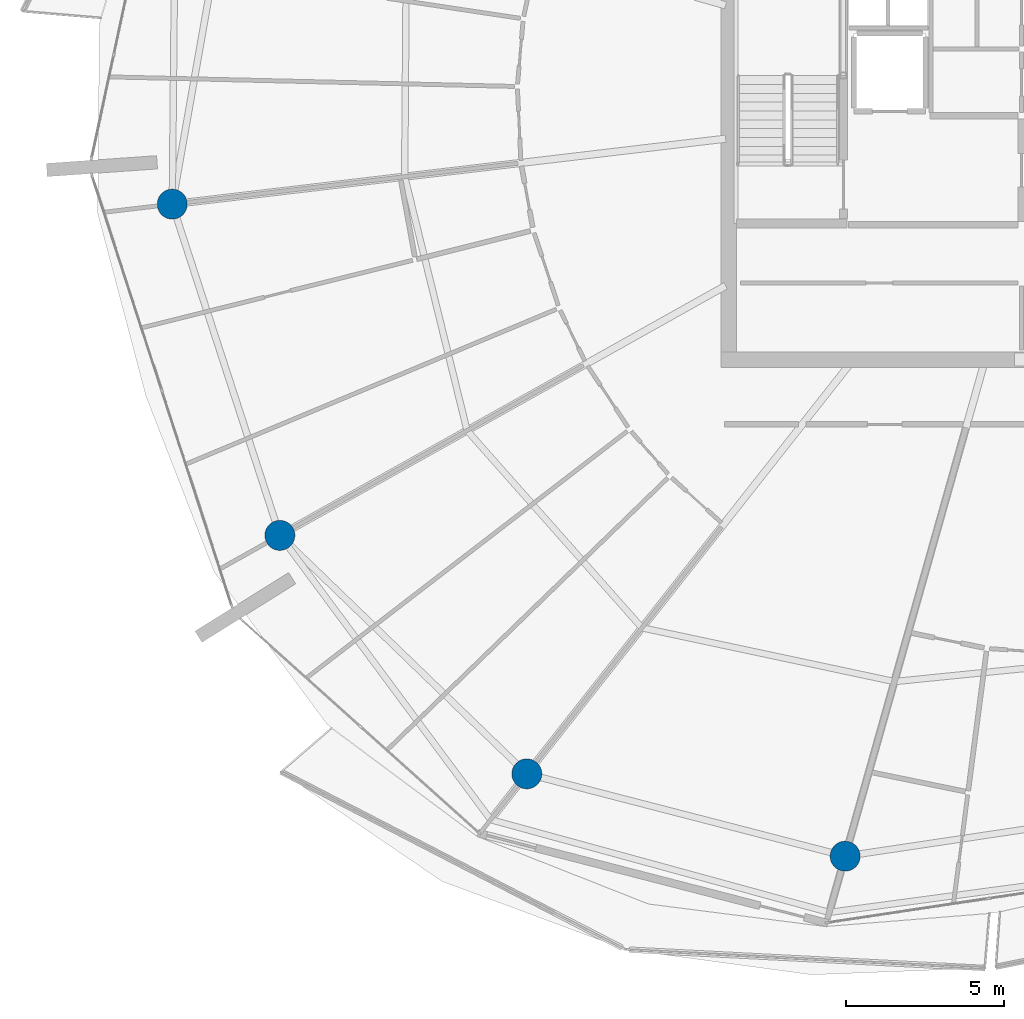
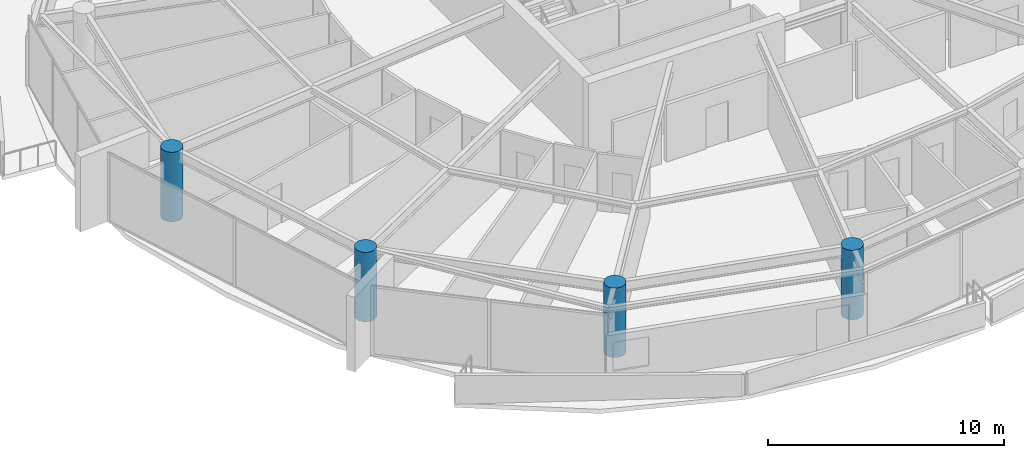
# One storey, part 1 of 29: 4 columns.
"""IFC4 building model written with IfcOpenShell, lengths in metres."""

from ifc_helpers import new_model, si_unit, direction, frame, origin, origin_2d, place, context, subcontext, project, spatial, circle, extrude, material, material_profile, profile_set, type_object, element, save


model = new_model("IFC4")

# Units and contexts
model_context = context("Model", 3, precision=1e-05, world=origin(), true_north=direction((0.0, 1.0)))
body_context = subcontext(model_context, "Body", "Model", "MODEL_VIEW")
ifc_project = project(units=[si_unit("LENGTHUNIT", "METRE"), si_unit("AREAUNIT", "SQUARE_METRE"), si_unit("VOLUMEUNIT", "CUBIC_METRE"), si_unit("PLANEANGLEUNIT", "RADIAN"), si_unit("MASSUNIT", "GRAM", prefix="KILO")], contexts=[model_context])

# Site, building, storey
site_placement = place(None, origin())
site = spatial("IfcSite", under=ifc_project, at=site_placement, CompositionType="ELEMENT")
building_placement = place(site_placement, origin())
building = spatial("IfcBuilding", under=site, at=building_placement, Name="Kazma Halo Residences", CompositionType="ELEMENT")
storey_placement = place(building_placement, frame((0.0, 0.0, 286.75)))
storey = spatial("IfcBuildingStorey", under=building, at=storey_placement, Name="L72", CompositionType="ELEMENT", Elevation=286.75)

# Columns
ifc_material = material(Name="Concrete C60/75", Category="concrete")
ifc_material_profile = material_profile(ifc_material, circle(Radius=0.47509765625, at=origin_2d()), Name="CIRC950")
ifc_profile_set = profile_set([ifc_material_profile], Name="Concrete C60/75")
column_type = type_object("IfcColumnType", Name="COL-PERIM-950", PredefinedType="COLUMN", material=ifc_profile_set)
for number, where, z_axis, x_axis, name in (
    (1, (19.92041015625, 38.676513671875, 0.0), (0.0, 0.0, 1.0), (1.0, 0.0, 0.0), "L72 perimeter ring column P08"),
    (2, (23.32958984375, 28.18408203125, 0.0), (0.0, 0.0, 1.0), (1.0, 0.0, 0.0), "L72 perimeter ring column P09"),
    (3, (31.15283203125, 20.62939453125, 0.0), (0.0, 0.0, 1.0), (1.0, 0.0, 0.0), "L72 perimeter ring column P10"),
    (4, (41.237060546875, 18.0205078125, 0.0), (0.0, 0.0, 1.0), (1.0, 0.0, 0.0), "L72 perimeter ring column P11"),
):
    element("IfcColumn", number, at=place(storey_placement, frame(where, z_axis=z_axis, x_axis=x_axis)), inside=storey, type_object=column_type, Name=name, PredefinedType="COLUMN", context=body_context, shape_type="SweptSolid", body=[
        extrude(circle(Radius=0.47509765625, at=origin_2d()), origin(), (0.0, 0.0, 1.0), 3.590087890625),
    ])

save(model, "model.ifc")
